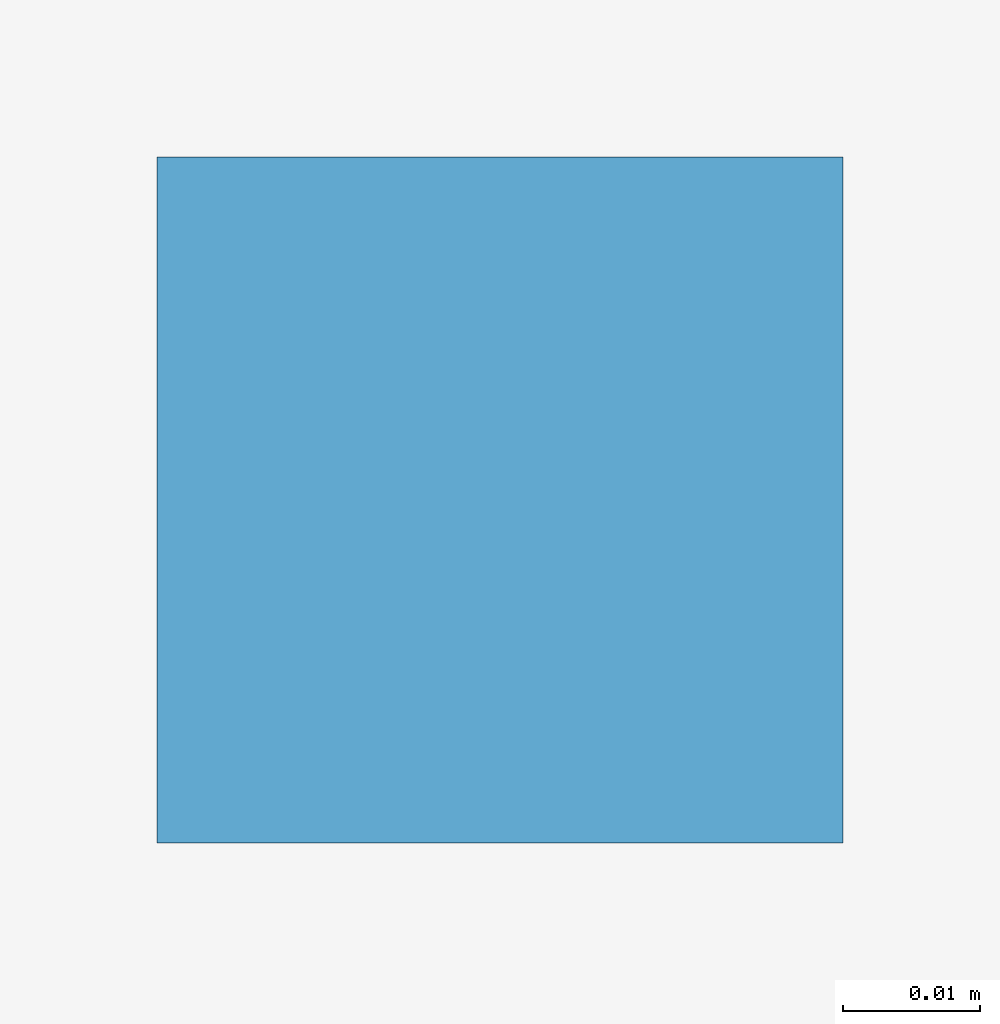
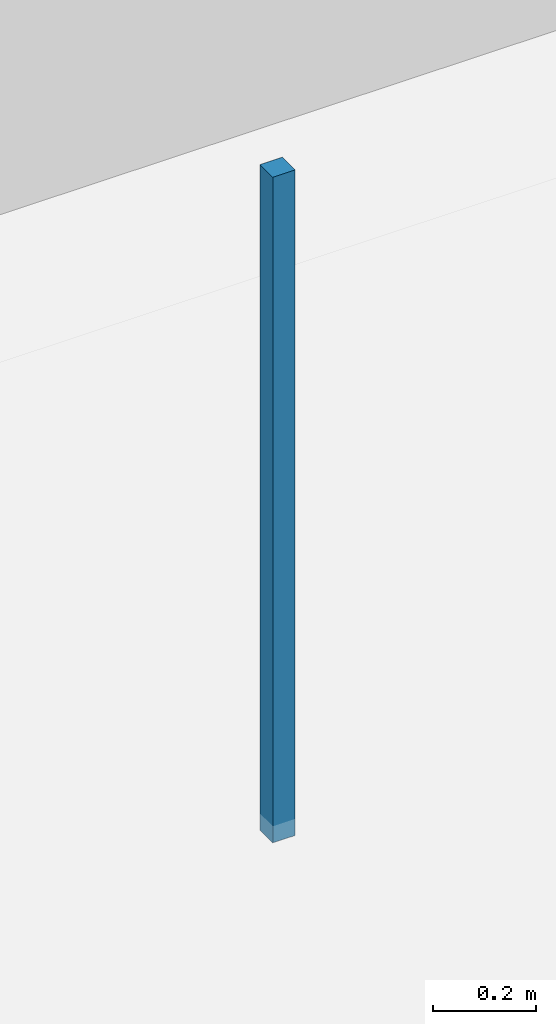
# One storey, part 36 of 56: 1 discrete accessory.
"""IFC4 building model written with IfcOpenShell, lengths in metres."""

from ifc_helpers import new_model, si_unit, direction, frame, origin, origin_2d, place, context, subcontext, project, spatial, rectangle, extrude, material, type_object, element, save


model = new_model("IFC4")

# Units and contexts
model_context = context("Model", 3, precision=1e-05, world=origin(), true_north=direction((0.0, 1.0)))
body_context = subcontext(model_context, "Body", "Model", "MODEL_VIEW")
ifc_project = project(units=[si_unit("LENGTHUNIT", "METRE"), si_unit("AREAUNIT", "SQUARE_METRE"), si_unit("VOLUMEUNIT", "CUBIC_METRE"), si_unit("PLANEANGLEUNIT", "RADIAN"), si_unit("MASSUNIT", "GRAM", prefix="KILO")], contexts=[model_context])

# Site, building, storey
site_placement = place(None, origin())
site = spatial("IfcSite", under=ifc_project, at=site_placement, CompositionType="ELEMENT")
building_placement = place(site_placement, origin())
building = spatial("IfcBuilding", under=site, at=building_placement, Name="Kazehaya Institute of Natural Sciences", CompositionType="ELEMENT")
storey_placement = place(building_placement, origin())
storey = spatial("IfcBuildingStorey", under=building, at=storey_placement, Name="L00", CompositionType="ELEMENT", Elevation=0.0)

# Discrete accessory
ifc_material = material(Name="Structural steel SN490B", Category="steel")
discrete_accessory_type = type_object("IfcDiscreteAccessoryType", Name="ACC-CLG-HGR", PredefinedType="BRACKET", material=ifc_material)
discrete_accessory_placement = place(storey_placement, frame((43.77978515625, 11.40478515625, 3.74267578125), z_axis=(0.0, 0.0, 1.0), x_axis=(1.0, 0.0, 0.0)))
element("IfcDiscreteAccessory", 1, at=discrete_accessory_placement, inside=storey, type_object=discrete_accessory_type, Name="L00 ceiling suspension hanger 3", PredefinedType="BRACKET", context=body_context, shape_type="SweptSolid", body=[
    extrude(rectangle(XDim=0.050048828125, YDim=0.050048828125, at=origin_2d()), origin(), (0.0, 0.0, 1.0), 1.577392578125),
])

save(model, "model.ifc")
